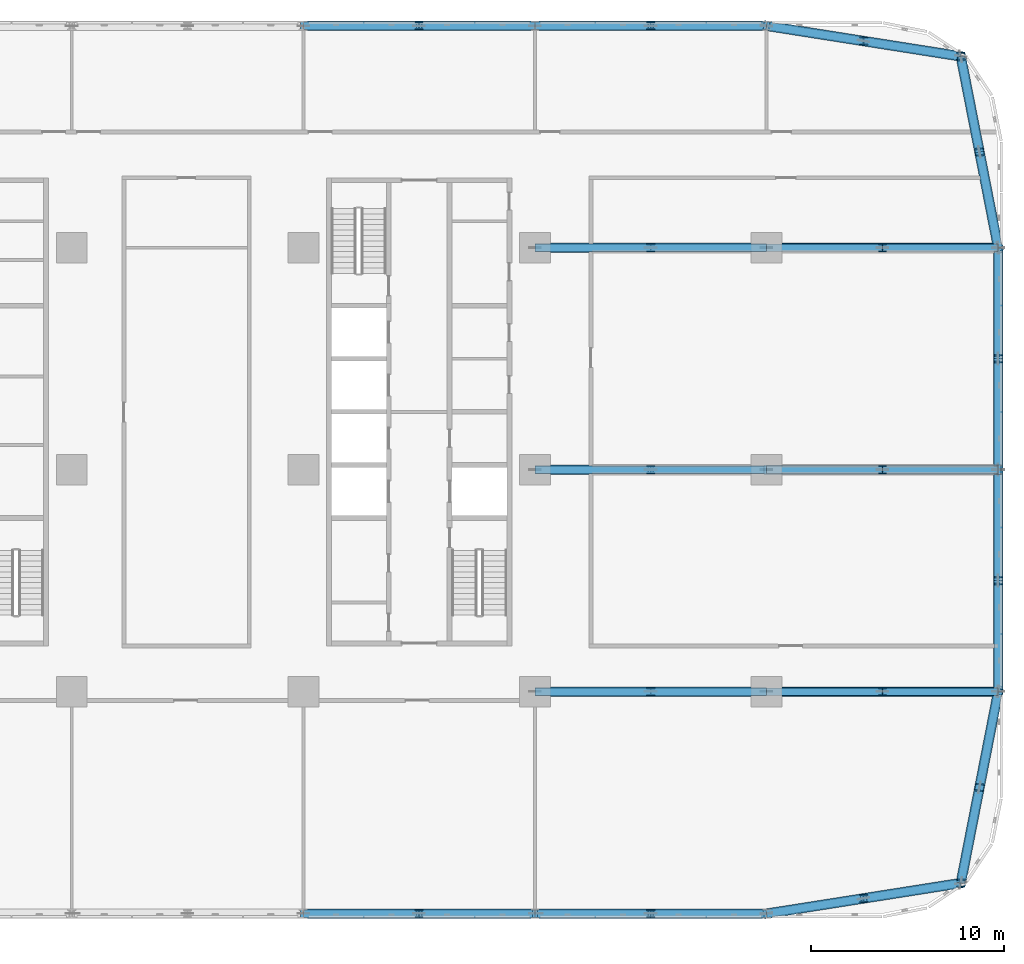
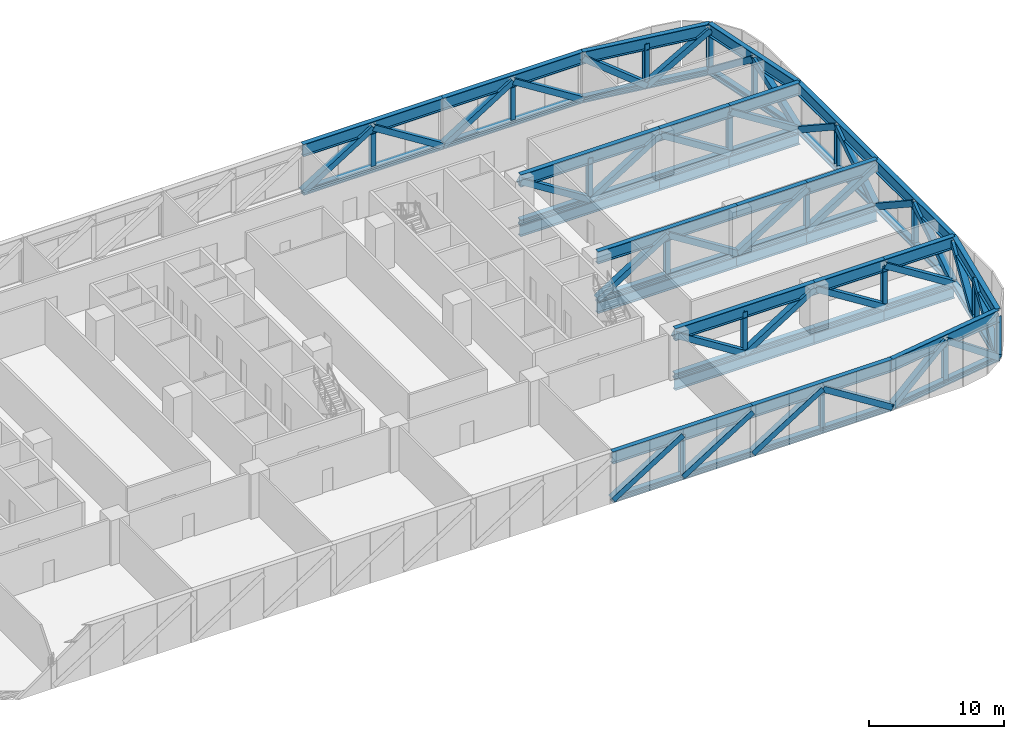
# One storey, part 6 of 25: 88 members, 9 beams.
"""IFC4 building model written with IfcOpenShell, lengths in metres."""

from ifc_helpers import new_model, si_unit, direction, frame, origin, origin_2d, place, context, subcontext, project, spatial, hollow_rectangle, i_section, extrude, material, material_profile, profile_set, type_object, element, save


model = new_model("IFC4")

# Units and contexts
model_context = context("Model", 3, precision=1e-05, world=origin(), true_north=direction((0.0, 1.0)))
body_context = subcontext(model_context, "Body", "Model", "MODEL_VIEW")
ifc_project = project(units=[si_unit("LENGTHUNIT", "METRE"), si_unit("AREAUNIT", "SQUARE_METRE"), si_unit("VOLUMEUNIT", "CUBIC_METRE"), si_unit("PLANEANGLEUNIT", "RADIAN"), si_unit("MASSUNIT", "GRAM", prefix="KILO")], contexts=[model_context])

# Site, building, storey
site_placement = place(None, origin())
site = spatial("IfcSite", under=ifc_project, at=site_placement, CompositionType="ELEMENT")
building_placement = place(site_placement, origin())
building = spatial("IfcBuilding", under=site, at=building_placement, Name="Mahtab Terrace Research Tower", CompositionType="ELEMENT")
storey_placement = place(building_placement, frame((0.0, 0.0, 41.60009765625)))
storey = spatial("IfcBuildingStorey", under=building, at=storey_placement, Name="L09", CompositionType="ELEMENT", Elevation=41.60009765625)

# Members
ifc_material_1 = material(Name="Steel ASTM A500 Gr C", Category="steel")
ifc_material_profile_1 = material_profile(ifc_material_1, hollow_rectangle(XDim=0.508056640625, YDim=0.508056640625, WallThickness=0.01904296875, at=origin_2d()), Name="HSS20X20X3/4")
ifc_profile_set_1 = profile_set([ifc_material_profile_1], Name="Steel ASTM A500 Gr C")
member_type_1 = type_object("IfcMemberType", Name="HSS 20x20x3/4 brace TD202034", PredefinedType="BRACE", material=ifc_profile_set_1)
for number, where, z_axis, x_axis, name in (
    (1, (18.0, -23.0, -0.27587890625), (0.846275965704, 0.0, 0.532744769914), (0.0, 1.0, 0.0), "Transfer truss T1 diagonal 051"),
    (2, (24.0, -23.0, -0.27587890625), (0.846275965704, 0.0, 0.532744769914), (0.0, 1.0, 0.0), "Transfer truss T1 diagonal 053"),
    (3, (18.0, 23.0, -0.27587890625), (0.846275965704, 0.0, 0.532744769914), (0.0, 1.0, 0.0), "Transfer truss T1 diagonal 054"),
    (4, (30.0, -23.0, -0.27587890625), (0.846275965704, 0.0, 0.532744769914), (0.0, 1.0, 0.0), "Transfer truss T1 diagonal 055"),
    (5, (36.0, -11.5, -0.27587890625), (-0.846275965704, 0.0, 0.532744769914), (0.0, -1.0, 0.0), "Transfer truss T1 diagonal 056"),
    (6, (30.0, 0.0, -0.27587890625), (0.846275965704, 0.0, 0.532744769914), (0.0, 1.0, 0.0), "Transfer truss T1 diagonal 057"),
    (7, (36.0, 11.5, -0.27587890625), (-0.846275965704, 0.0, 0.532744769914), (0.0, -1.0, 0.0), "Transfer truss T1 diagonal 058"),
    (8, (30.0, 23.0, -0.27587890625), (-0.846275965704, 0.0, 0.532744769914), (0.0, -1.0, 0.0), "Transfer truss T1 diagonal 059"),
    (9, (42.0, -23.0, -0.27587890625), (-0.846275965704, 0.0, 0.532744769914), (0.0, -1.0, 0.0), "Transfer truss T1 diagonal 060"),
    (10, (36.0, -11.5, -0.27587890625), (0.846275965704, 0.0, 0.532744769914), (0.0, 1.0, 0.0), "Transfer truss T1 diagonal 061"),
    (11, (42.0, 0.0, -0.27587890625), (-0.846275965704, 0.0, 0.532744769914), (0.0, -1.0, 0.0), "Transfer truss T1 diagonal 062"),
    (12, (36.0, 11.5, -0.27587890625), (0.846275965704, 0.0, 0.532744769914), (0.0, 1.0, 0.0), "Transfer truss T1 diagonal 063"),
    (13, (30.0, 23.0, -0.27587890625), (0.846275965704, 0.0, 0.532744769914), (0.0, 1.0, 0.0), "Transfer truss T1 diagonal 064"),
):
    element("IfcMember", number, at=place(storey_placement, frame(where, z_axis=z_axis, x_axis=x_axis)), inside=storey, type_object=member_type_1, Name=name, PredefinedType="BRACE", context=body_context, shape_type="SweptSolid", body=[
        extrude(hollow_rectangle(XDim=0.508056640625, YDim=0.508056640625, WallThickness=0.01904296875, at=origin_2d()), origin(), (0.0, 0.0, 1.0), 7.08984375),
    ])
member_1_placement = place(storey_placement, frame((42.0, -23.0, -0.27587890625), z_axis=(0.793443713829, 0.124905682907, 0.595689217094), x_axis=(-0.155507156777, 0.987834765632, 0.0)))
element("IfcMember", 14, at=member_1_placement, inside=storey, type_object=member_type_1, Name="Transfer truss T1 diagonal 065", PredefinedType="BRACE", context=body_context, shape_type="SweptSolid", body=[
    extrude(hollow_rectangle(XDim=0.508056640625, YDim=0.508056640625, WallThickness=0.01904296875, at=origin_2d()), origin(), (0.0, 0.0, 1.0), 6.3408203125),
])
for number, where, z_axis, x_axis, name in (
    (15, (48.0, -11.5, -0.27587890625), (-0.846275965704, 0.0, 0.532744769914), (0.0, -1.0, 0.0), "Transfer truss T1 diagonal 066"),
    (16, (42.0, 0.0, -0.27587890625), (0.846275965704, 0.0, 0.532744769914), (0.0, 1.0, 0.0), "Transfer truss T1 diagonal 067"),
    (17, (48.0, 11.5, -0.27587890625), (-0.846275965704, 0.0, 0.532744769914), (0.0, -1.0, 0.0), "Transfer truss T1 diagonal 068"),
    (18, (42.0, 23.0, -0.27587890625), (-0.846275965704, 0.0, 0.532744769914), (0.0, -1.0, 0.0), "Transfer truss T1 diagonal 069"),
):
    element("IfcMember", number, at=place(storey_placement, frame(where, z_axis=z_axis, x_axis=x_axis)), inside=storey, type_object=member_type_1, Name=name, PredefinedType="BRACE", context=body_context, shape_type="SweptSolid", body=[
        extrude(hollow_rectangle(XDim=0.508056640625, YDim=0.508056640625, WallThickness=0.01904296875, at=origin_2d()), origin(), (0.0, 0.0, 1.0), 7.08984375),
    ])
for number, where, z_axis, x_axis, name in (
    (19, (52.06201171875, -21.416015625, -0.27587890625), (-0.793443713829, -0.124905682907, 0.595689217094), (0.155507156777, -0.987834765632, 0.0), "Transfer truss T1 diagonal 070"),
    (20, (47.031005859375, 22.2080078125, -0.27587890625), (-0.793443713829, 0.124905682907, 0.595689217094), (-0.155507156777, -0.987834765632, 0.0), "Transfer truss T1 diagonal 071"),
):
    element("IfcMember", number, at=place(storey_placement, frame(where, z_axis=z_axis, x_axis=x_axis)), inside=storey, type_object=member_type_1, Name=name, PredefinedType="BRACE", context=body_context, shape_type="SweptSolid", body=[
        extrude(hollow_rectangle(XDim=0.508056640625, YDim=0.508056640625, WallThickness=0.01904296875, at=origin_2d()), origin(), (0.0, 0.0, 1.0), 6.3408203125),
    ])
for number, where, z_axis, x_axis, name in (
    (21, (54.0, -11.5, -0.27587890625), (-0.846275965704, 0.0, 0.532744769914), (0.0, -1.0, 0.0), "Transfer truss T1 diagonal 072"),
    (22, (48.0, 0.0, -0.27587890625), (0.846275965704, 0.0, 0.532744769914), (0.0, 1.0, 0.0), "Transfer truss T1 diagonal 073"),
    (23, (54.0, 11.5, -0.27587890625), (-0.846275965704, 0.0, 0.532744769914), (0.0, -1.0, 0.0), "Transfer truss T1 diagonal 074"),
):
    element("IfcMember", number, at=place(storey_placement, frame(where, z_axis=z_axis, x_axis=x_axis)), inside=storey, type_object=member_type_1, Name=name, PredefinedType="BRACE", context=body_context, shape_type="SweptSolid", body=[
        extrude(hollow_rectangle(XDim=0.508056640625, YDim=0.508056640625, WallThickness=0.01904296875, at=origin_2d()), origin(), (0.0, 0.0, 1.0), 7.08984375),
    ])
member_2_placement = place(storey_placement, frame((52.06201171875, -21.416015625, -0.27587890625), z_axis=(0.153620461814, 0.786022761028, 0.598806289928), x_axis=(-0.981431833016, 0.191811253951, 0.0)))
element("IfcMember", 24, at=member_2_placement, inside=storey, type_object=member_type_1, Name="Transfer truss T1 diagonal 075", PredefinedType="BRACE", context=body_context, shape_type="SweptSolid", body=[
    extrude(hollow_rectangle(XDim=0.508056640625, YDim=0.508056640625, WallThickness=0.01904296875, at=origin_2d()), origin(), (0.0, 0.0, 1.0), 6.3076171875),
])
member_3_placement = place(storey_placement, frame((47.031005859375, 22.2080078125, -0.27587890625), z_axis=(0.793443713829, -0.124905682907, 0.595689217094), x_axis=(0.155507156777, 0.987834765632, 0.0)))
element("IfcMember", 25, at=member_3_placement, inside=storey, type_object=member_type_1, Name="Transfer truss T1 diagonal 076", PredefinedType="BRACE", context=body_context, shape_type="SweptSolid", body=[
    extrude(hollow_rectangle(XDim=0.508056640625, YDim=0.508056640625, WallThickness=0.01904296875, at=origin_2d()), origin(), (0.0, 0.0, 1.0), 6.3408203125),
])
for number, where, z_axis, x_axis, name in (
    (26, (53.031005859375, -16.4580078125, -0.27587890625), (0.153620461814, 0.786022761028, 0.598806289928), (-0.981431833016, 0.191811253951, 0.0), "Transfer truss T1 diagonal 077"),
    (27, (52.06201171875, 21.416015625, -0.27587890625), (0.153620461814, -0.786022761028, 0.598806289928), (0.981431833016, 0.191811253951, 0.0), "Transfer truss T1 diagonal 078"),
):
    element("IfcMember", number, at=place(storey_placement, frame(where, z_axis=z_axis, x_axis=x_axis)), inside=storey, type_object=member_type_1, Name=name, PredefinedType="BRACE", context=body_context, shape_type="SweptSolid", body=[
        extrude(hollow_rectangle(XDim=0.508056640625, YDim=0.508056640625, WallThickness=0.01904296875, at=origin_2d()), origin(), (0.0, 0.0, 1.0), 6.3076171875),
    ])
for number, where, z_axis, x_axis, name in (
    (28, (54.0, -11.5, -0.27587890625), (0.0, 0.835803654064, 0.549028461788), (-1.0, 0.0, 0.0), "Transfer truss T1 diagonal 079"),
    (29, (54.0, 0.0, -0.27587890625), (0.0, -0.835803654064, 0.549028461788), (1.0, 0.0, 0.0), "Transfer truss T1 diagonal 080"),
    (30, (54.0, 0.0, -0.27587890625), (0.0, 0.835803654064, 0.549028461788), (-1.0, 0.0, 0.0), "Transfer truss T1 diagonal 081"),
    (31, (54.0, 11.5, -0.27587890625), (0.0, -0.835803654064, 0.549028461788), (1.0, 0.0, 0.0), "Transfer truss T1 diagonal 082"),
):
    element("IfcMember", number, at=place(storey_placement, frame(where, z_axis=z_axis, x_axis=x_axis)), inside=storey, type_object=member_type_1, Name=name, PredefinedType="BRACE", context=body_context, shape_type="SweptSolid", body=[
        extrude(hollow_rectangle(XDim=0.508056640625, YDim=0.508056640625, WallThickness=0.01904296875, at=origin_2d()), origin(), (0.0, 0.0, 1.0), 6.879638671875),
    ])
member_4_placement = place(storey_placement, frame((54.0, 11.5, -0.27587890625), z_axis=(-0.153620461814, 0.786022761028, 0.598806289928), x_axis=(-0.981431833016, -0.191811253951, 0.0)))
element("IfcMember", 32, at=member_4_placement, inside=storey, type_object=member_type_1, Name="Transfer truss T1 diagonal 083", PredefinedType="BRACE", context=body_context, shape_type="SweptSolid", body=[
    extrude(hollow_rectangle(XDim=0.508056640625, YDim=0.508056640625, WallThickness=0.01904296875, at=origin_2d()), origin(), (0.0, 0.0, 1.0), 6.3076171875),
])
ifc_material_2 = material(Name="Steel ASTM A992 Gr 50", Category="steel")
ifc_material_profile_2 = material_profile(ifc_material_2, i_section(OverallWidth=0.398681640625, OverallDepth=0.393798828125, WebThickness=0.022705078125, FlangeThickness=0.03662109375, at=origin_2d()), Name="W14X193")
ifc_profile_set_2 = profile_set([ifc_material_profile_2], Name="Steel ASTM A992 Gr 50")
member_type_2 = type_object("IfcMemberType", Name="W14x193 post TP14193", PredefinedType="POST", material=ifc_profile_set_2)
for number, where, z_axis, x_axis, name in (
    (33, (24.0, -23.0, -0.27587890625), (0.0, 0.0, 1.0), (1.0, 0.0, 0.0), "Transfer truss T1 post 049"),
    (34, (24.0, 23.0, -0.27587890625), (0.0, 0.0, 1.0), (1.0, 0.0, 0.0), "Transfer truss T1 post 050"),
    (35, (36.0, -23.0, -0.27587890625), (0.0, 0.0, 1.0), (1.0, 0.0, 0.0), "Transfer truss T1 post 056"),
    (36, (36.0, -11.5, -0.27587890625), (0.0, 0.0, 1.0), (1.0, 0.0, 0.0), "Transfer truss T1 post 057"),
    (37, (36.0, 0.0, -0.27587890625), (0.0, 0.0, 1.0), (1.0, 0.0, 0.0), "Transfer truss T1 post 058"),
    (38, (36.0, 11.5, -0.27587890625), (0.0, 0.0, 1.0), (1.0, 0.0, 0.0), "Transfer truss T1 post 059"),
    (39, (36.0, 23.0, -0.27587890625), (0.0, 0.0, 1.0), (1.0, 0.0, 0.0), "Transfer truss T1 post 060"),
    (40, (47.030029296875, -22.2099609375, -0.27587890625), (0.0, 0.0, 1.0), (1.0, 0.0, 0.0), "Transfer truss T1 post 066"),
    (41, (47.030029296875, 22.2099609375, -0.27587890625), (0.0, 0.0, 1.0), (1.0, 0.0, 0.0), "Transfer truss T1 post 067"),
    (42, (48.0, -11.5, -0.27587890625), (0.0, 0.0, 1.0), (1.0, 0.0, 0.0), "Transfer truss T1 post 068"),
    (43, (48.0, 0.0, -0.27587890625), (0.0, 0.0, 1.0), (1.0, 0.0, 0.0), "Transfer truss T1 post 069"),
    (44, (48.0, 11.5, -0.27587890625), (0.0, 0.0, 1.0), (1.0, 0.0, 0.0), "Transfer truss T1 post 070"),
    (45, (52.06005859375, -21.419921875, -0.27587890625), (0.0, 0.0, 1.0), (1.0, 0.0, 0.0), "Transfer truss T1 post 071"),
    (46, (52.06005859375, 21.419921875, -0.27587890625), (0.0, 0.0, 1.0), (1.0, 0.0, 0.0), "Transfer truss T1 post 072"),
    (47, (53.030029296875, -16.4599609375, -0.27587890625), (0.0, 0.0, 1.0), (1.0, 0.0, 0.0), "Transfer truss T1 post 073"),
    (48, (53.030029296875, 16.4599609375, -0.27587890625), (0.0, 0.0, 1.0), (1.0, 0.0, 0.0), "Transfer truss T1 post 074"),
    (49, (54.0, -5.75, -0.27587890625), (0.0, 0.0, 1.0), (1.0, 0.0, 0.0), "Transfer truss T1 post 076"),
    (50, (54.0, 5.75, -0.27587890625), (0.0, 0.0, 1.0), (1.0, 0.0, 0.0), "Transfer truss T1 post 078"),
):
    element("IfcMember", number, at=place(storey_placement, frame(where, z_axis=z_axis, x_axis=x_axis)), inside=storey, type_object=member_type_2, Name=name, PredefinedType="POST", context=body_context, shape_type="SweptSolid", body=[
        extrude(i_section(OverallWidth=0.398681640625, OverallDepth=0.393798828125, WebThickness=0.022705078125, FlangeThickness=0.03662109375, at=origin_2d()), origin(), (0.0, 0.0, 1.0), 3.777099609375),
    ])
ifc_material_profile_3 = material_profile(ifc_material_2, i_section(OverallWidth=0.44970703125, OverallDepth=0.548583984375, WebThickness=0.072021484375, FlangeThickness=0.11474609375, at=origin_2d()), Name="W14X665")
ifc_profile_set_3 = profile_set([ifc_material_profile_3], Name="Steel ASTM A992 Gr 50")
member_type_3 = type_object("IfcMemberType", Name="W14x665 chord TC14665", PredefinedType="CHORD", material=ifc_profile_set_3)
for number, where, z_axis, x_axis, name in (
    (51, (18.0, -23.0, -0.27587890625), (1.0, 0.0, 0.0), (0.0, 1.0, 0.0), "Transfer truss T1 bottom chord 025"),
    (52, (30.0, -23.0, -0.27587890625), (1.0, 0.0, 0.0), (0.0, 1.0, 0.0), "Transfer truss T1 bottom chord 026"),
    (53, (42.0, 23.0, -0.27587890625), (-1.0, 0.0, 0.0), (0.0, -1.0, 0.0), "Transfer truss T1 bottom chord 027"),
    (54, (30.0, 23.0, -0.27587890625), (-1.0, 0.0, 0.0), (0.0, -1.0, 0.0), "Transfer truss T1 bottom chord 028"),
    (55, (30.0, -11.5, -0.27587890625), (1.0, 0.0, 0.0), (0.0, 1.0, 0.0), "Transfer truss T1 bottom chord 033"),
):
    element("IfcMember", number, at=place(storey_placement, frame(where, z_axis=z_axis, x_axis=x_axis)), inside=storey, type_object=member_type_3, Name=name, PredefinedType="CHORD", context=body_context, shape_type="SweptSolid", body=[
        extrude(i_section(OverallWidth=0.44970703125, OverallDepth=0.548583984375, WebThickness=0.072021484375, FlangeThickness=0.11474609375, at=origin_2d()), origin(), (0.0, 0.0, 1.0), 12.0),
    ])
for number, where, z_axis, x_axis, name in (
    (56, (42.0, -11.5, -0.27587890625), (1.0, 0.0, 0.0), (0.0, 1.0, 0.0), "Transfer truss T1 bottom chord 034"),
    (57, (48.0, -11.5, -0.27587890625), (1.0, 0.0, 0.0), (0.0, 1.0, 0.0), "Transfer truss T1 bottom chord 035"),
):
    element("IfcMember", number, at=place(storey_placement, frame(where, z_axis=z_axis, x_axis=x_axis)), inside=storey, type_object=member_type_3, Name=name, PredefinedType="CHORD", context=body_context, shape_type="SweptSolid", body=[
        extrude(i_section(OverallWidth=0.44970703125, OverallDepth=0.548583984375, WebThickness=0.072021484375, FlangeThickness=0.11474609375, at=origin_2d()), origin(), (0.0, 0.0, 1.0), 6.0),
    ])
member_5_placement = place(storey_placement, frame((30.0, 0.0, -0.27587890625), z_axis=(1.0, 0.0, 0.0), x_axis=(0.0, 1.0, 0.0)))
element("IfcMember", 58, at=member_5_placement, inside=storey, type_object=member_type_3, Name="Transfer truss T1 bottom chord 036", PredefinedType="CHORD", context=body_context, shape_type="SweptSolid", body=[
    extrude(i_section(OverallWidth=0.44970703125, OverallDepth=0.548583984375, WebThickness=0.072021484375, FlangeThickness=0.11474609375, at=origin_2d()), origin(), (0.0, 0.0, 1.0), 12.0),
])
for number, where, z_axis, x_axis, name in (
    (59, (42.0, 0.0, -0.27587890625), (1.0, 0.0, 0.0), (0.0, 1.0, 0.0), "Transfer truss T1 bottom chord 037"),
    (60, (48.0, 0.0, -0.27587890625), (1.0, 0.0, 0.0), (0.0, 1.0, 0.0), "Transfer truss T1 bottom chord 038"),
):
    element("IfcMember", number, at=place(storey_placement, frame(where, z_axis=z_axis, x_axis=x_axis)), inside=storey, type_object=member_type_3, Name=name, PredefinedType="CHORD", context=body_context, shape_type="SweptSolid", body=[
        extrude(i_section(OverallWidth=0.44970703125, OverallDepth=0.548583984375, WebThickness=0.072021484375, FlangeThickness=0.11474609375, at=origin_2d()), origin(), (0.0, 0.0, 1.0), 6.0),
    ])
member_6_placement = place(storey_placement, frame((30.0, 11.5, -0.27587890625), z_axis=(1.0, 0.0, 0.0), x_axis=(0.0, 1.0, 0.0)))
element("IfcMember", 61, at=member_6_placement, inside=storey, type_object=member_type_3, Name="Transfer truss T1 bottom chord 039", PredefinedType="CHORD", context=body_context, shape_type="SweptSolid", body=[
    extrude(i_section(OverallWidth=0.44970703125, OverallDepth=0.548583984375, WebThickness=0.072021484375, FlangeThickness=0.11474609375, at=origin_2d()), origin(), (0.0, 0.0, 1.0), 12.0),
])
for number, where, z_axis, x_axis, name in (
    (62, (42.0, 11.5, -0.27587890625), (1.0, 0.0, 0.0), (0.0, 1.0, 0.0), "Transfer truss T1 bottom chord 040"),
    (63, (48.0, 11.5, -0.27587890625), (1.0, 0.0, 0.0), (0.0, 1.0, 0.0), "Transfer truss T1 bottom chord 041"),
):
    element("IfcMember", number, at=place(storey_placement, frame(where, z_axis=z_axis, x_axis=x_axis)), inside=storey, type_object=member_type_3, Name=name, PredefinedType="CHORD", context=body_context, shape_type="SweptSolid", body=[
        extrude(i_section(OverallWidth=0.44970703125, OverallDepth=0.548583984375, WebThickness=0.072021484375, FlangeThickness=0.11474609375, at=origin_2d()), origin(), (0.0, 0.0, 1.0), 6.0),
    ])
for number, where, z_axis, x_axis, name in (
    (64, (42.0, -23.0, -0.27587890625), (0.987834765632, 0.155507156777, 0.0), (-0.155507156777, 0.987834765632, 0.0), "Transfer truss T1 bottom chord 042"),
    (65, (52.06201171875, 21.416015625, -0.27587890625), (-0.987834765632, 0.155507156777, 0.0), (-0.155507156777, -0.987834765632, 0.0), "Transfer truss T1 bottom chord 043"),
):
    element("IfcMember", number, at=place(storey_placement, frame(where, z_axis=z_axis, x_axis=x_axis)), inside=storey, type_object=member_type_3, Name=name, PredefinedType="CHORD", context=body_context, shape_type="SweptSolid", body=[
        extrude(i_section(OverallWidth=0.44970703125, OverallDepth=0.548583984375, WebThickness=0.072021484375, FlangeThickness=0.11474609375, at=origin_2d()), origin(), (0.0, 0.0, 1.0), 10.18603515625),
    ])
for number, where, z_axis, x_axis, name in (
    (66, (52.06201171875, -21.416015625, -0.27587890625), (0.191811253951, 0.981431833016, 0.0), (-0.981431833016, 0.191811253951, 0.0), "Transfer truss T1 bottom chord 044"),
    (67, (54.0, 11.5, -0.27587890625), (-0.191811253951, 0.981431833016, 0.0), (-0.981431833016, -0.191811253951, 0.0), "Transfer truss T1 bottom chord 045"),
):
    element("IfcMember", number, at=place(storey_placement, frame(where, z_axis=z_axis, x_axis=x_axis)), inside=storey, type_object=member_type_3, Name=name, PredefinedType="CHORD", context=body_context, shape_type="SweptSolid", body=[
        extrude(i_section(OverallWidth=0.44970703125, OverallDepth=0.548583984375, WebThickness=0.072021484375, FlangeThickness=0.11474609375, at=origin_2d()), origin(), (0.0, 0.0, 1.0), 10.103515625),
    ])
for number, where, z_axis, x_axis, name in (
    (68, (54.0, -11.5, -0.27587890625), (0.0, 1.0, 0.0), (-1.0, 0.0, 0.0), "Transfer truss T1 bottom chord 046"),
    (69, (54.0, 0.0, -0.27587890625), (0.0, 1.0, 0.0), (-1.0, 0.0, 0.0), "Transfer truss T1 bottom chord 047"),
):
    element("IfcMember", number, at=place(storey_placement, frame(where, z_axis=z_axis, x_axis=x_axis)), inside=storey, type_object=member_type_3, Name=name, PredefinedType="CHORD", context=body_context, shape_type="SweptSolid", body=[
        extrude(i_section(OverallWidth=0.44970703125, OverallDepth=0.548583984375, WebThickness=0.072021484375, FlangeThickness=0.11474609375, at=origin_2d()), origin(), (0.0, 0.0, 1.0), 11.5),
    ])

# Beams
ifc_material_profile_4 = material_profile(ifc_material_2, i_section(OverallWidth=0.4013671875, OverallDepth=1.000732421875, WebThickness=0.01904296875, FlangeThickness=0.0361328125, at=origin_2d()), Name="W40X249")
ifc_profile_set_4 = profile_set([ifc_material_profile_4], Name="Steel ASTM A992 Gr 50")
beam_type = type_object("IfcBeamType", Name="W40x249 transfer girder TG40249", PredefinedType="BEAM", material=ifc_profile_set_4)
beam_1_placement = place(storey_placement, frame((30.0, -11.5, -1.048583984375), z_axis=(1.0, 0.0, 0.0), x_axis=(0.0, 1.0, 0.0)))
element("IfcBeam", 70, at=beam_1_placement, inside=storey, type_object=beam_type, Name="Transfer girder T1 01", PredefinedType="BEAM", context=body_context, shape_type="SweptSolid", body=[
    extrude(i_section(OverallWidth=0.4013671875, OverallDepth=1.000732421875, WebThickness=0.01904296875, FlangeThickness=0.0361328125, at=origin_2d()), origin(), (0.0, 0.0, 1.0), 12.0),
])
for number, where, z_axis, x_axis, name in (
    (71, (42.0, -11.5, -1.048583984375), (1.0, 0.0, 0.0), (0.0, 1.0, 0.0), "Transfer girder T1 02"),
    (72, (48.0, -11.5, -1.048583984375), (1.0, 0.0, 0.0), (0.0, 1.0, 0.0), "Transfer girder T1 03"),
):
    element("IfcBeam", number, at=place(storey_placement, frame(where, z_axis=z_axis, x_axis=x_axis)), inside=storey, type_object=beam_type, Name=name, PredefinedType="BEAM", context=body_context, shape_type="SweptSolid", body=[
        extrude(i_section(OverallWidth=0.4013671875, OverallDepth=1.000732421875, WebThickness=0.01904296875, FlangeThickness=0.0361328125, at=origin_2d()), origin(), (0.0, 0.0, 1.0), 6.0),
    ])
beam_2_placement = place(storey_placement, frame((30.0, 0.0, -1.048583984375), z_axis=(1.0, 0.0, 0.0), x_axis=(0.0, 1.0, 0.0)))
element("IfcBeam", 73, at=beam_2_placement, inside=storey, type_object=beam_type, Name="Transfer girder T1 04", PredefinedType="BEAM", context=body_context, shape_type="SweptSolid", body=[
    extrude(i_section(OverallWidth=0.4013671875, OverallDepth=1.000732421875, WebThickness=0.01904296875, FlangeThickness=0.0361328125, at=origin_2d()), origin(), (0.0, 0.0, 1.0), 12.0),
])
for number, where, z_axis, x_axis, name in (
    (74, (42.0, 0.0, -1.048583984375), (1.0, 0.0, 0.0), (0.0, 1.0, 0.0), "Transfer girder T1 05"),
    (75, (48.0, 0.0, -1.048583984375), (1.0, 0.0, 0.0), (0.0, 1.0, 0.0), "Transfer girder T1 06"),
):
    element("IfcBeam", number, at=place(storey_placement, frame(where, z_axis=z_axis, x_axis=x_axis)), inside=storey, type_object=beam_type, Name=name, PredefinedType="BEAM", context=body_context, shape_type="SweptSolid", body=[
        extrude(i_section(OverallWidth=0.4013671875, OverallDepth=1.000732421875, WebThickness=0.01904296875, FlangeThickness=0.0361328125, at=origin_2d()), origin(), (0.0, 0.0, 1.0), 6.0),
    ])
beam_3_placement = place(storey_placement, frame((30.0, 11.5, -1.048583984375), z_axis=(1.0, 0.0, 0.0), x_axis=(0.0, 1.0, 0.0)))
element("IfcBeam", 76, at=beam_3_placement, inside=storey, type_object=beam_type, Name="Transfer girder T1 07", PredefinedType="BEAM", context=body_context, shape_type="SweptSolid", body=[
    extrude(i_section(OverallWidth=0.4013671875, OverallDepth=1.000732421875, WebThickness=0.01904296875, FlangeThickness=0.0361328125, at=origin_2d()), origin(), (0.0, 0.0, 1.0), 12.0),
])
for number, where, z_axis, x_axis, name in (
    (77, (42.0, 11.5, -1.048583984375), (1.0, 0.0, 0.0), (0.0, 1.0, 0.0), "Transfer girder T1 08"),
    (78, (48.0, 11.5, -1.048583984375), (1.0, 0.0, 0.0), (0.0, 1.0, 0.0), "Transfer girder T1 09"),
):
    element("IfcBeam", number, at=place(storey_placement, frame(where, z_axis=z_axis, x_axis=x_axis)), inside=storey, type_object=beam_type, Name=name, PredefinedType="BEAM", context=body_context, shape_type="SweptSolid", body=[
        extrude(i_section(OverallWidth=0.4013671875, OverallDepth=1.000732421875, WebThickness=0.01904296875, FlangeThickness=0.0361328125, at=origin_2d()), origin(), (0.0, 0.0, 1.0), 6.0),
    ])

# Members
ifc_material_profile_5 = material_profile(ifc_material_2, i_section(OverallWidth=0.40380859375, OverallDepth=1.11767578125, WebThickness=0.026123046875, FlangeThickness=0.044921875, at=origin_2d()), Name="W44X335")
ifc_profile_set_5 = profile_set([ifc_material_profile_5], Name="Steel ASTM A992 Gr 50")
member_type_4 = type_object("IfcMemberType", Name="W44x335 chord TT44335", PredefinedType="CHORD", material=ifc_profile_set_5)
for number, where, z_axis, x_axis, name in (
    (79, (18.0, -23.0, 3.501220703125), (1.0, 0.0, 0.0), (0.0, 1.0, 0.0), "Transfer truss T1 top chord 025"),
    (80, (30.0, -23.0, 3.501220703125), (1.0, 0.0, 0.0), (0.0, 1.0, 0.0), "Transfer truss T1 top chord 026"),
    (81, (42.0, 23.0, 3.501220703125), (-1.0, 0.0, 0.0), (0.0, -1.0, 0.0), "Transfer truss T1 top chord 027"),
    (82, (30.0, 23.0, 3.501220703125), (-1.0, 0.0, 0.0), (0.0, -1.0, 0.0), "Transfer truss T1 top chord 028"),
    (83, (30.0, -11.5, 3.501220703125), (1.0, 0.0, 0.0), (0.0, 1.0, 0.0), "Transfer truss T1 top chord 033"),
):
    element("IfcMember", number, at=place(storey_placement, frame(where, z_axis=z_axis, x_axis=x_axis)), inside=storey, type_object=member_type_4, Name=name, PredefinedType="CHORD", context=body_context, shape_type="SweptSolid", body=[
        extrude(i_section(OverallWidth=0.40380859375, OverallDepth=1.11767578125, WebThickness=0.026123046875, FlangeThickness=0.044921875, at=origin_2d()), origin(), (0.0, 0.0, 1.0), 12.0),
    ])
for number, where, z_axis, x_axis, name in (
    (84, (42.0, -11.5, 3.501220703125), (1.0, 0.0, 0.0), (0.0, 1.0, 0.0), "Transfer truss T1 top chord 034"),
    (85, (48.0, -11.5, 3.501220703125), (1.0, 0.0, 0.0), (0.0, 1.0, 0.0), "Transfer truss T1 top chord 035"),
):
    element("IfcMember", number, at=place(storey_placement, frame(where, z_axis=z_axis, x_axis=x_axis)), inside=storey, type_object=member_type_4, Name=name, PredefinedType="CHORD", context=body_context, shape_type="SweptSolid", body=[
        extrude(i_section(OverallWidth=0.40380859375, OverallDepth=1.11767578125, WebThickness=0.026123046875, FlangeThickness=0.044921875, at=origin_2d()), origin(), (0.0, 0.0, 1.0), 6.0),
    ])
member_7_placement = place(storey_placement, frame((30.0, 0.0, 3.501220703125), z_axis=(1.0, 0.0, 0.0), x_axis=(0.0, 1.0, 0.0)))
element("IfcMember", 86, at=member_7_placement, inside=storey, type_object=member_type_4, Name="Transfer truss T1 top chord 036", PredefinedType="CHORD", context=body_context, shape_type="SweptSolid", body=[
    extrude(i_section(OverallWidth=0.40380859375, OverallDepth=1.11767578125, WebThickness=0.026123046875, FlangeThickness=0.044921875, at=origin_2d()), origin(), (0.0, 0.0, 1.0), 12.0),
])
for number, where, z_axis, x_axis, name in (
    (87, (42.0, 0.0, 3.501220703125), (1.0, 0.0, 0.0), (0.0, 1.0, 0.0), "Transfer truss T1 top chord 037"),
    (88, (48.0, 0.0, 3.501220703125), (1.0, 0.0, 0.0), (0.0, 1.0, 0.0), "Transfer truss T1 top chord 038"),
):
    element("IfcMember", number, at=place(storey_placement, frame(where, z_axis=z_axis, x_axis=x_axis)), inside=storey, type_object=member_type_4, Name=name, PredefinedType="CHORD", context=body_context, shape_type="SweptSolid", body=[
        extrude(i_section(OverallWidth=0.40380859375, OverallDepth=1.11767578125, WebThickness=0.026123046875, FlangeThickness=0.044921875, at=origin_2d()), origin(), (0.0, 0.0, 1.0), 6.0),
    ])
member_8_placement = place(storey_placement, frame((30.0, 11.5, 3.501220703125), z_axis=(1.0, 0.0, 0.0), x_axis=(0.0, 1.0, 0.0)))
element("IfcMember", 89, at=member_8_placement, inside=storey, type_object=member_type_4, Name="Transfer truss T1 top chord 039", PredefinedType="CHORD", context=body_context, shape_type="SweptSolid", body=[
    extrude(i_section(OverallWidth=0.40380859375, OverallDepth=1.11767578125, WebThickness=0.026123046875, FlangeThickness=0.044921875, at=origin_2d()), origin(), (0.0, 0.0, 1.0), 12.0),
])
for number, where, z_axis, x_axis, name in (
    (90, (42.0, 11.5, 3.501220703125), (1.0, 0.0, 0.0), (0.0, 1.0, 0.0), "Transfer truss T1 top chord 040"),
    (91, (48.0, 11.5, 3.501220703125), (1.0, 0.0, 0.0), (0.0, 1.0, 0.0), "Transfer truss T1 top chord 041"),
):
    element("IfcMember", number, at=place(storey_placement, frame(where, z_axis=z_axis, x_axis=x_axis)), inside=storey, type_object=member_type_4, Name=name, PredefinedType="CHORD", context=body_context, shape_type="SweptSolid", body=[
        extrude(i_section(OverallWidth=0.40380859375, OverallDepth=1.11767578125, WebThickness=0.026123046875, FlangeThickness=0.044921875, at=origin_2d()), origin(), (0.0, 0.0, 1.0), 6.0),
    ])
for number, where, z_axis, x_axis, name in (
    (92, (42.0, -23.0, 3.501220703125), (0.987834765632, 0.155507156777, 0.0), (-0.155507156777, 0.987834765632, 0.0), "Transfer truss T1 top chord 042"),
    (93, (52.06201171875, 21.416015625, 3.501220703125), (-0.987834765632, 0.155507156777, 0.0), (-0.155507156777, -0.987834765632, 0.0), "Transfer truss T1 top chord 043"),
):
    element("IfcMember", number, at=place(storey_placement, frame(where, z_axis=z_axis, x_axis=x_axis)), inside=storey, type_object=member_type_4, Name=name, PredefinedType="CHORD", context=body_context, shape_type="SweptSolid", body=[
        extrude(i_section(OverallWidth=0.40380859375, OverallDepth=1.11767578125, WebThickness=0.026123046875, FlangeThickness=0.044921875, at=origin_2d()), origin(), (0.0, 0.0, 1.0), 10.18603515625),
    ])
for number, where, z_axis, x_axis, name in (
    (94, (52.06201171875, -21.416015625, 3.501220703125), (0.191811253951, 0.981431833016, 0.0), (-0.981431833016, 0.191811253951, 0.0), "Transfer truss T1 top chord 044"),
    (95, (54.0, 11.5, 3.501220703125), (-0.191811253951, 0.981431833016, 0.0), (-0.981431833016, -0.191811253951, 0.0), "Transfer truss T1 top chord 045"),
):
    element("IfcMember", number, at=place(storey_placement, frame(where, z_axis=z_axis, x_axis=x_axis)), inside=storey, type_object=member_type_4, Name=name, PredefinedType="CHORD", context=body_context, shape_type="SweptSolid", body=[
        extrude(i_section(OverallWidth=0.40380859375, OverallDepth=1.11767578125, WebThickness=0.026123046875, FlangeThickness=0.044921875, at=origin_2d()), origin(), (0.0, 0.0, 1.0), 10.103515625),
    ])
for number, where, z_axis, x_axis, name in (
    (96, (54.0, -11.5, 3.501220703125), (0.0, 1.0, 0.0), (-1.0, 0.0, 0.0), "Transfer truss T1 top chord 046"),
    (97, (54.0, 0.0, 3.501220703125), (0.0, 1.0, 0.0), (-1.0, 0.0, 0.0), "Transfer truss T1 top chord 047"),
):
    element("IfcMember", number, at=place(storey_placement, frame(where, z_axis=z_axis, x_axis=x_axis)), inside=storey, type_object=member_type_4, Name=name, PredefinedType="CHORD", context=body_context, shape_type="SweptSolid", body=[
        extrude(i_section(OverallWidth=0.40380859375, OverallDepth=1.11767578125, WebThickness=0.026123046875, FlangeThickness=0.044921875, at=origin_2d()), origin(), (0.0, 0.0, 1.0), 11.5),
    ])

save(model, "model.ifc")
